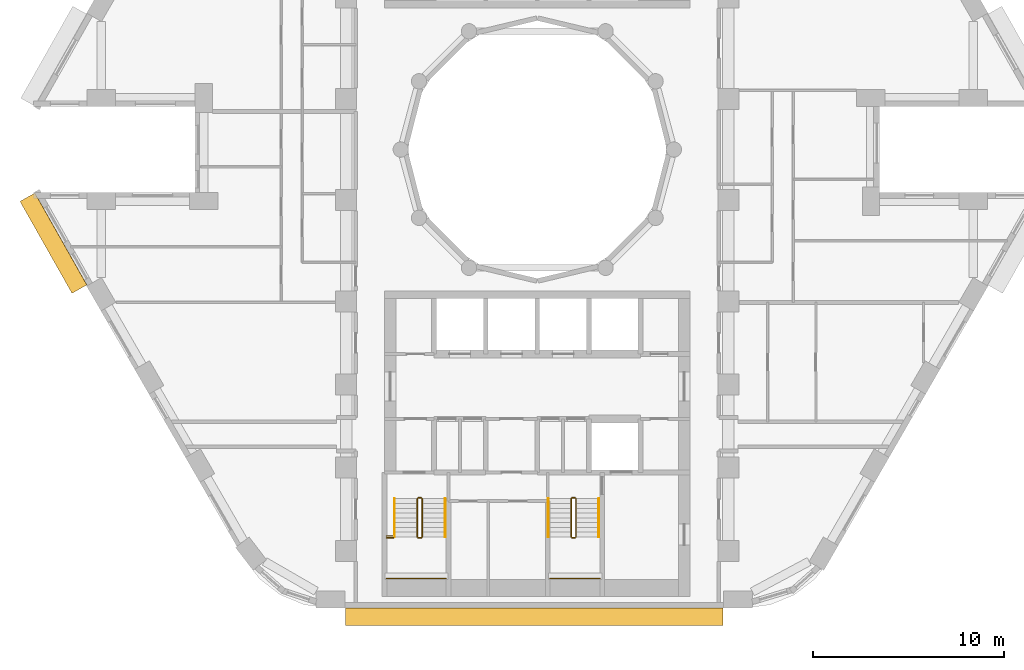
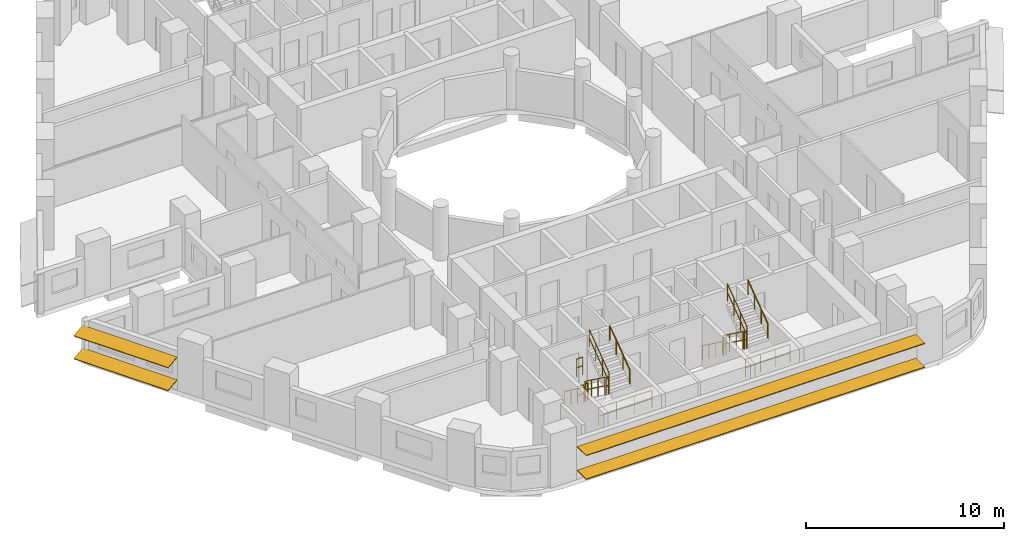
# One storey, part 10 of 12: 16 railings, 4 shading devices.
"""IFC4 building model written with IfcOpenShell, lengths in metres."""

from ifc_helpers import new_model, si_unit, direction, frame, origin, origin_2d, place, context, subcontext, project, spatial, rectangle, circle, extrude, material, material_profile, profile_set, type_object, element, save


model = new_model("IFC4")

# Units and contexts
model_context = context("Model", 3, precision=1e-05, world=origin(), true_north=direction((0.0, 1.0)))
body_context = subcontext(model_context, "Body", "Model", "MODEL_VIEW")
ifc_project = project(units=[si_unit("LENGTHUNIT", "METRE"), si_unit("AREAUNIT", "SQUARE_METRE"), si_unit("VOLUMEUNIT", "CUBIC_METRE"), si_unit("PLANEANGLEUNIT", "RADIAN"), si_unit("MASSUNIT", "GRAM", prefix="KILO")], contexts=[model_context])

# Site, building, storey
site_placement = place(None, origin())
site = spatial("IfcSite", under=ifc_project, at=site_placement, CompositionType="ELEMENT")
building_placement = place(site_placement, origin())
building = spatial("IfcBuilding", under=site, at=building_placement, Name="Nakaniwa Court", CompositionType="ELEMENT")
storey_placement = place(building_placement, frame((0.0, 0.0, 51.300048828125)))
storey = spatial("IfcBuildingStorey", under=building, at=storey_placement, Name="L13", CompositionType="ELEMENT", Elevation=51.300048828125)

# Shading devices
ifc_material_1 = material(Name="Perforated charcoal ceramic louvre blade")
ifc_material_profile = material_profile(ifc_material_1, rectangle(XDim=0.89990234375, YDim=0.050048828125, at=origin_2d()), Name="Perforated ceramic louvre blade")
ifc_profile_set = profile_set([ifc_material_profile], Name="Perforated charcoal ceramic louvre blade")
shading_device_type = type_object("IfcShadingDeviceType", Name="Perforated ceramic louvre blade", PredefinedType="JALOUSIE", material=ifc_profile_set)
for number, where, z_axis, x_axis, name in (
    (1, (53.31689453125, 77.508056640625, 0.550048828125), (0.492342539441, -0.870401530247, 0.0), (0.86275552304, 0.488017576221, 0.132256390257), "L13 perforated ceramic louvre blade w20 1"),
    (2, (53.31689453125, 77.508056640625, 1.95556640625), (0.492342539441, -0.870401530247, 0.0), (0.86275552304, 0.488017576221, 0.132256390257), "L13 perforated ceramic louvre blade w20 2"),
):
    element("IfcShadingDevice", number, at=place(storey_placement, frame(where, z_axis=z_axis, x_axis=x_axis)), inside=storey, type_object=shading_device_type, Name=name, PredefinedType="JALOUSIE", context=body_context, shape_type="SweptSolid", body=[
        extrude(rectangle(XDim=0.89990234375, YDim=0.050048828125, at=origin_2d()), origin(), (0.0, 0.0, 1.0), 5.526611328125),
    ])
for number, where, z_axis, x_axis, name in (
    (3, (69.97119140625, 55.550048828125, 0.550048828125), (1.0, 0.0, 0.0), (0.0, 1.0, 0.0), "L13 perforated ceramic louvre blade w26 1"),
    (4, (69.97119140625, 55.550048828125, 2.014892578125), (1.0, 0.0, 0.0), (0.0, 1.0, 0.0), "L13 perforated ceramic louvre blade w26 2"),
):
    element("IfcShadingDevice", number, at=place(storey_placement, frame(where, z_axis=z_axis, x_axis=x_axis)), inside=storey, type_object=shading_device_type, Name=name, PredefinedType="JALOUSIE", context=body_context, shape_type="SweptSolid", body=[
        extrude(rectangle(XDim=0.89990234375, YDim=0.050048828125, at=origin_2d()), origin(), (0.0, 0.0, 1.0), 19.739990234375),
    ])

# Railings
ifc_material_2 = material(Name="Black powder coated steel guard", Category="steel")
railing_type_1 = type_object("IfcRailingType", Name="Stair guard 1100", PredefinedType="GUARDRAIL", material=ifc_material_2)
railing_1_placement = place(storey_placement, frame((73.72509765625, 61.72509765625, 0.183349609375)))
element("IfcRailing", 5, at=railing_1_placement, inside=storey, type_object=railing_type_1, Name="L13 ST3 stair guard 1", PredefinedType="GUARDRAIL", context=body_context, shape_type="SweptSolid", body=[
    extrude(circle(Radius=0.02392578125, at=origin_2d()), frame((0.0, 0.0, 1.076171875), z_axis=(0.0, -0.806426902644, 0.591333789573), x_axis=(1.0, 0.0, 0.0)), (0.0, 0.0, 1.0), 2.47998046875),
    extrude(circle(Radius=0.02392578125, at=origin_2d()), frame((0.0, 0.0, 0.550048828125), z_axis=(0.0, -0.806426902644, 0.591333789573), x_axis=(1.0, 0.0, 0.0)), (0.0, 0.0, 1.0), 2.47998046875),
    extrude(circle(Radius=0.02099609375, at=origin_2d()), origin(), (0.0, 0.0, 1.0), 1.052001953125),
    extrude(circle(Radius=0.02099609375, at=origin_2d()), frame((0.0, -0.666748046875, 0.48876953125)), (0.0, 0.0, 1.0), 1.052001953125),
    extrude(circle(Radius=0.02099609375, at=origin_2d()), frame((0.0, -1.333251953125, 0.977783203125)), (0.0, 0.0, 1.0), 1.052001953125),
    extrude(circle(Radius=0.02099609375, at=origin_2d()), frame((0.0, -2.0, 1.466552734375)), (0.0, 0.0, 1.0), 1.052001953125),
])
railing_2_placement = place(storey_placement, frame((73.77490234375, 59.675048828125, 1.64990234375)))
element("IfcRailing", 6, at=railing_2_placement, inside=storey, type_object=railing_type_1, Name="L13 ST3 stair guard 2", PredefinedType="GUARDRAIL", context=body_context, shape_type="SweptSolid", body=[
    extrude(circle(Radius=0.02392578125, at=origin_2d()), frame((0.0, 0.0, 1.076171875), z_axis=(1.0, 0.0, 0.0), x_axis=(0.0, 1.0, 0.0)), (0.0, 0.0, 1.0), 0.150146484375),
    extrude(circle(Radius=0.02392578125, at=origin_2d()), frame((0.0, 0.0, 0.550048828125), z_axis=(1.0, 0.0, 0.0), x_axis=(0.0, 1.0, 0.0)), (0.0, 0.0, 1.0), 0.150146484375),
    extrude(circle(Radius=0.02099609375, at=origin_2d()), origin(), (0.0, 0.0, 1.0), 1.052001953125),
    extrude(circle(Radius=0.02099609375, at=origin_2d()), frame((0.150146484375, 0.0, 0.0)), (0.0, 0.0, 1.0), 1.052001953125),
])
railing_3_placement = place(storey_placement, frame((73.97509765625, 59.72509765625, 1.833251953125)))
element("IfcRailing", 7, at=railing_3_placement, inside=storey, type_object=railing_type_1, Name="L13 ST3 stair guard 3", PredefinedType="GUARDRAIL", context=body_context, shape_type="SweptSolid", body=[
    extrude(circle(Radius=0.02392578125, at=origin_2d()), frame((0.0, 0.0, 1.076171875), z_axis=(0.0, 0.806379959628, 0.591397802423), x_axis=(-1.0, 0.0, 0.0)), (0.0, 0.0, 1.0), 2.480224609375),
    extrude(circle(Radius=0.02392578125, at=origin_2d()), frame((0.0, 0.0, 0.550048828125), z_axis=(0.0, 0.806379959628, 0.591397802423), x_axis=(-1.0, 0.0, 0.0)), (0.0, 0.0, 1.0), 2.480224609375),
    extrude(circle(Radius=0.02099609375, at=origin_2d()), origin(), (0.0, 0.0, 1.0), 1.052001953125),
    extrude(circle(Radius=0.02099609375, at=origin_2d()), frame((0.0, 0.666748046875, 0.489013671875)), (0.0, 0.0, 1.0), 1.052001953125),
    extrude(circle(Radius=0.02099609375, at=origin_2d()), frame((0.0, 1.333251953125, 0.977783203125)), (0.0, 0.0, 1.0), 1.052001953125),
    extrude(circle(Radius=0.02099609375, at=origin_2d()), frame((0.0, 2.0, 1.466796875)), (0.0, 0.0, 1.0), 1.052001953125),
])
railing_4_placement = place(storey_placement, frame((73.77490234375, 61.77490234375, 0.0)))
element("IfcRailing", 8, at=railing_4_placement, inside=storey, type_object=railing_type_1, Name="L13 ST3 stair guard 4", PredefinedType="GUARDRAIL", context=body_context, shape_type="SweptSolid", body=[
    extrude(circle(Radius=0.02392578125, at=origin_2d()), frame((0.0, 0.0, 1.076171875), z_axis=(1.0, 0.0, 0.0), x_axis=(0.0, 1.0, 0.0)), (0.0, 0.0, 1.0), 0.150146484375),
    extrude(circle(Radius=0.02392578125, at=origin_2d()), frame((0.0, 0.0, 0.550048828125), z_axis=(1.0, 0.0, 0.0), x_axis=(0.0, 1.0, 0.0)), (0.0, 0.0, 1.0), 0.150146484375),
    extrude(circle(Radius=0.02099609375, at=origin_2d()), origin(), (0.0, 0.0, 1.0), 1.052001953125),
    extrude(circle(Radius=0.02099609375, at=origin_2d()), frame((0.150146484375, 0.0, 0.0)), (0.0, 0.0, 1.0), 1.052001953125),
])
railing_5_placement = place(storey_placement, frame((72.125, 57.550048828125, 1.64990234375)))
element("IfcRailing", 9, at=railing_5_placement, inside=storey, type_object=railing_type_1, Name="L13 ST3 landing end guard 1", PredefinedType="GUARDRAIL", context=body_context, shape_type="SweptSolid", body=[
    extrude(circle(Radius=0.02392578125, at=origin_2d()), frame((0.0, 0.0, 1.076171875), z_axis=(1.0, 0.0, 0.0), x_axis=(0.0, 1.0, 0.0)), (0.0, 0.0, 1.0), 3.10009765625),
    extrude(circle(Radius=0.02392578125, at=origin_2d()), frame((0.0, 0.0, 0.550048828125), z_axis=(1.0, 0.0, 0.0), x_axis=(0.0, 1.0, 0.0)), (0.0, 0.0, 1.0), 3.10009765625),
    extrude(circle(Radius=0.02099609375, at=origin_2d()), origin(), (0.0, 0.0, 1.0), 1.052001953125),
    extrude(circle(Radius=0.02099609375, at=origin_2d()), frame((1.033447265625, 0.0, 0.0)), (0.0, 0.0, 1.0), 1.052001953125),
    extrude(circle(Radius=0.02099609375, at=origin_2d()), frame((2.066650390625, 0.0, 0.0)), (0.0, 0.0, 1.0), 1.052001953125),
    extrude(circle(Radius=0.02099609375, at=origin_2d()), frame((3.10009765625, 0.0, 0.0)), (0.0, 0.0, 1.0), 1.052001953125),
])
for number, where, name in (
    (10, (72.125, 59.675048828125, 1.64990234375), "L13 ST3 landing side guard 1W"),
    (11, (72.125, 59.77490234375, 3.300048828125), "L13 ST3 floor edge guard 1W"),
):
    element("IfcRailing", number, at=place(storey_placement, frame(where)), inside=storey, type_object=railing_type_1, Name=name, PredefinedType="GUARDRAIL", context=body_context, shape_type="SweptSolid", body=[
        extrude(circle(Radius=0.02392578125, at=origin_2d()), frame((0.0, 0.0, 1.076171875), z_axis=(1.0, 0.0, 0.0), x_axis=(0.0, 1.0, 0.0)), (0.0, 0.0, 1.0), 0.35009765625),
        extrude(circle(Radius=0.02392578125, at=origin_2d()), frame((0.0, 0.0, 0.550048828125), z_axis=(1.0, 0.0, 0.0), x_axis=(0.0, 1.0, 0.0)), (0.0, 0.0, 1.0), 0.35009765625),
        extrude(circle(Radius=0.02099609375, at=origin_2d()), origin(), (0.0, 0.0, 1.0), 1.052001953125),
        extrude(circle(Radius=0.02099609375, at=origin_2d()), frame((0.35009765625, 0.0, 0.0)), (0.0, 0.0, 1.0), 1.052001953125),
    ])
railing_6_placement = place(storey_placement, frame((81.77490234375, 61.72509765625, 0.183349609375)))
element("IfcRailing", 12, at=railing_6_placement, inside=storey, type_object=railing_type_1, Name="L13 ST4 stair guard 1", PredefinedType="GUARDRAIL", context=body_context, shape_type="SweptSolid", body=[
    extrude(circle(Radius=0.02392578125, at=origin_2d()), frame((0.0, 0.0, 1.076171875), z_axis=(0.0, -0.806426902644, 0.591333789573), x_axis=(1.0, 0.0, 0.0)), (0.0, 0.0, 1.0), 2.47998046875),
    extrude(circle(Radius=0.02392578125, at=origin_2d()), frame((0.0, 0.0, 0.550048828125), z_axis=(0.0, -0.806426902644, 0.591333789573), x_axis=(1.0, 0.0, 0.0)), (0.0, 0.0, 1.0), 2.47998046875),
    extrude(circle(Radius=0.02099609375, at=origin_2d()), origin(), (0.0, 0.0, 1.0), 1.052001953125),
    extrude(circle(Radius=0.02099609375, at=origin_2d()), frame((0.0, -0.666748046875, 0.48876953125)), (0.0, 0.0, 1.0), 1.052001953125),
    extrude(circle(Radius=0.02099609375, at=origin_2d()), frame((0.0, -1.333251953125, 0.977783203125)), (0.0, 0.0, 1.0), 1.052001953125),
    extrude(circle(Radius=0.02099609375, at=origin_2d()), frame((0.0, -2.0, 1.466552734375)), (0.0, 0.0, 1.0), 1.052001953125),
])
railing_7_placement = place(storey_placement, frame((81.824951171875, 59.675048828125, 1.64990234375)))
element("IfcRailing", 13, at=railing_7_placement, inside=storey, type_object=railing_type_1, Name="L13 ST4 stair guard 2", PredefinedType="GUARDRAIL", context=body_context, shape_type="SweptSolid", body=[
    extrude(circle(Radius=0.02392578125, at=origin_2d()), frame((0.0, 0.0, 1.076171875), z_axis=(1.0, 0.0, 0.0), x_axis=(0.0, 1.0, 0.0)), (0.0, 0.0, 1.0), 0.150146484375),
    extrude(circle(Radius=0.02392578125, at=origin_2d()), frame((0.0, 0.0, 0.550048828125), z_axis=(1.0, 0.0, 0.0), x_axis=(0.0, 1.0, 0.0)), (0.0, 0.0, 1.0), 0.150146484375),
    extrude(circle(Radius=0.02099609375, at=origin_2d()), origin(), (0.0, 0.0, 1.0), 1.052001953125),
    extrude(circle(Radius=0.02099609375, at=origin_2d()), frame((0.150146484375, 0.0, 0.0)), (0.0, 0.0, 1.0), 1.052001953125),
])
railing_8_placement = place(storey_placement, frame((82.02490234375, 59.72509765625, 1.833251953125)))
element("IfcRailing", 14, at=railing_8_placement, inside=storey, type_object=railing_type_1, Name="L13 ST4 stair guard 3", PredefinedType="GUARDRAIL", context=body_context, shape_type="SweptSolid", body=[
    extrude(circle(Radius=0.02392578125, at=origin_2d()), frame((0.0, 0.0, 1.076171875), z_axis=(0.0, 0.806379959628, 0.591397802423), x_axis=(-1.0, 0.0, 0.0)), (0.0, 0.0, 1.0), 2.480224609375),
    extrude(circle(Radius=0.02392578125, at=origin_2d()), frame((0.0, 0.0, 0.550048828125), z_axis=(0.0, 0.806379959628, 0.591397802423), x_axis=(-1.0, 0.0, 0.0)), (0.0, 0.0, 1.0), 2.480224609375),
    extrude(circle(Radius=0.02099609375, at=origin_2d()), origin(), (0.0, 0.0, 1.0), 1.052001953125),
    extrude(circle(Radius=0.02099609375, at=origin_2d()), frame((0.0, 0.666748046875, 0.489013671875)), (0.0, 0.0, 1.0), 1.052001953125),
    extrude(circle(Radius=0.02099609375, at=origin_2d()), frame((0.0, 1.333251953125, 0.977783203125)), (0.0, 0.0, 1.0), 1.052001953125),
    extrude(circle(Radius=0.02099609375, at=origin_2d()), frame((0.0, 2.0, 1.466796875)), (0.0, 0.0, 1.0), 1.052001953125),
])
railing_9_placement = place(storey_placement, frame((81.824951171875, 61.77490234375, 0.0)))
element("IfcRailing", 15, at=railing_9_placement, inside=storey, type_object=railing_type_1, Name="L13 ST4 stair guard 4", PredefinedType="GUARDRAIL", context=body_context, shape_type="SweptSolid", body=[
    extrude(circle(Radius=0.02392578125, at=origin_2d()), frame((0.0, 0.0, 1.076171875), z_axis=(1.0, 0.0, 0.0), x_axis=(0.0, 1.0, 0.0)), (0.0, 0.0, 1.0), 0.150146484375),
    extrude(circle(Radius=0.02392578125, at=origin_2d()), frame((0.0, 0.0, 0.550048828125), z_axis=(1.0, 0.0, 0.0), x_axis=(0.0, 1.0, 0.0)), (0.0, 0.0, 1.0), 0.150146484375),
    extrude(circle(Radius=0.02099609375, at=origin_2d()), origin(), (0.0, 0.0, 1.0), 1.052001953125),
    extrude(circle(Radius=0.02099609375, at=origin_2d()), frame((0.150146484375, 0.0, 0.0)), (0.0, 0.0, 1.0), 1.052001953125),
])
railing_10_placement = place(storey_placement, frame((80.675048828125, 57.550048828125, 1.64990234375)))
element("IfcRailing", 16, at=railing_10_placement, inside=storey, type_object=railing_type_1, Name="L13 ST4 landing end guard 1", PredefinedType="GUARDRAIL", context=body_context, shape_type="SweptSolid", body=[
    extrude(circle(Radius=0.02392578125, at=origin_2d()), frame((0.0, 0.0, 1.076171875), z_axis=(1.0, 0.0, 0.0), x_axis=(0.0, 1.0, 0.0)), (0.0, 0.0, 1.0), 2.599853515625),
    extrude(circle(Radius=0.02392578125, at=origin_2d()), frame((0.0, 0.0, 0.550048828125), z_axis=(1.0, 0.0, 0.0), x_axis=(0.0, 1.0, 0.0)), (0.0, 0.0, 1.0), 2.599853515625),
    extrude(circle(Radius=0.02099609375, at=origin_2d()), origin(), (0.0, 0.0, 1.0), 1.052001953125),
    extrude(circle(Radius=0.02099609375, at=origin_2d()), frame((0.86669921875, 0.0, 0.0)), (0.0, 0.0, 1.0), 1.052001953125),
    extrude(circle(Radius=0.02099609375, at=origin_2d()), frame((1.733154296875, 0.0, 0.0)), (0.0, 0.0, 1.0), 1.052001953125),
    extrude(circle(Radius=0.02099609375, at=origin_2d()), frame((2.599853515625, 0.0, 0.0)), (0.0, 0.0, 1.0), 1.052001953125),
])
ifc_material_3 = material(Name="Black powder coated steel handrail", Category="steel")
railing_type_2 = type_object("IfcRailingType", Name="Stair handrail 900", PredefinedType="HANDRAIL", material=ifc_material_3)
railing_11_placement = place(storey_placement, frame((72.52490234375, 61.72509765625, 0.183349609375)))
element("IfcRailing", 17, at=railing_11_placement, inside=storey, type_object=railing_type_2, Name="L13 ST3 stair handrail 1", PredefinedType="HANDRAIL", context=body_context, shape_type="SweptSolid", body=[
    extrude(circle(Radius=0.02392578125, at=origin_2d()), frame((0.0, 0.0, 0.8759765625), z_axis=(0.0, -0.806426902644, 0.591333789573), x_axis=(1.0, 0.0, 0.0)), (0.0, 0.0, 1.0), 2.47998046875),
    extrude(circle(Radius=0.02099609375, at=origin_2d()), origin(), (0.0, 0.0, 1.0), 0.851806640625),
    extrude(circle(Radius=0.02099609375, at=origin_2d()), frame((0.0, -0.666748046875, 0.48876953125)), (0.0, 0.0, 1.0), 0.851806640625),
    extrude(circle(Radius=0.02099609375, at=origin_2d()), frame((0.0, -1.333251953125, 0.977783203125)), (0.0, 0.0, 1.0), 0.851806640625),
    extrude(circle(Radius=0.02099609375, at=origin_2d()), frame((0.0, -2.0, 1.466552734375)), (0.0, 0.0, 1.0), 0.851806640625),
])
railing_12_placement = place(storey_placement, frame((75.175048828125, 59.72509765625, 1.833251953125)))
element("IfcRailing", 18, at=railing_12_placement, inside=storey, type_object=railing_type_2, Name="L13 ST3 stair handrail 2", PredefinedType="HANDRAIL", context=body_context, shape_type="SweptSolid", body=[
    extrude(circle(Radius=0.02392578125, at=origin_2d()), frame((0.0, 0.0, 0.8759765625), z_axis=(0.0, 0.806379959628, 0.591397802423), x_axis=(-1.0, 0.0, 0.0)), (0.0, 0.0, 1.0), 2.480224609375),
    extrude(circle(Radius=0.02099609375, at=origin_2d()), origin(), (0.0, 0.0, 1.0), 0.851806640625),
    extrude(circle(Radius=0.02099609375, at=origin_2d()), frame((0.0, 0.666748046875, 0.489013671875)), (0.0, 0.0, 1.0), 0.851806640625),
    extrude(circle(Radius=0.02099609375, at=origin_2d()), frame((0.0, 1.333251953125, 0.977783203125)), (0.0, 0.0, 1.0), 0.851806640625),
    extrude(circle(Radius=0.02099609375, at=origin_2d()), frame((0.0, 2.0, 1.466796875)), (0.0, 0.0, 1.0), 0.851806640625),
])
railing_13_placement = place(storey_placement, frame((80.574951171875, 61.72509765625, 0.183349609375)))
element("IfcRailing", 19, at=railing_13_placement, inside=storey, type_object=railing_type_2, Name="L13 ST4 stair handrail 1", PredefinedType="HANDRAIL", context=body_context, shape_type="SweptSolid", body=[
    extrude(circle(Radius=0.02392578125, at=origin_2d()), frame((0.0, 0.0, 0.8759765625), z_axis=(0.0, -0.806426902644, 0.591333789573), x_axis=(1.0, 0.0, 0.0)), (0.0, 0.0, 1.0), 2.47998046875),
    extrude(circle(Radius=0.02099609375, at=origin_2d()), origin(), (0.0, 0.0, 1.0), 0.851806640625),
    extrude(circle(Radius=0.02099609375, at=origin_2d()), frame((0.0, -0.666748046875, 0.48876953125)), (0.0, 0.0, 1.0), 0.851806640625),
    extrude(circle(Radius=0.02099609375, at=origin_2d()), frame((0.0, -1.333251953125, 0.977783203125)), (0.0, 0.0, 1.0), 0.851806640625),
    extrude(circle(Radius=0.02099609375, at=origin_2d()), frame((0.0, -2.0, 1.466552734375)), (0.0, 0.0, 1.0), 0.851806640625),
])
railing_14_placement = place(storey_placement, frame((83.22509765625, 59.72509765625, 1.833251953125)))
element("IfcRailing", 20, at=railing_14_placement, inside=storey, type_object=railing_type_2, Name="L13 ST4 stair handrail 2", PredefinedType="HANDRAIL", context=body_context, shape_type="SweptSolid", body=[
    extrude(circle(Radius=0.02392578125, at=origin_2d()), frame((0.0, 0.0, 0.8759765625), z_axis=(0.0, 0.806379959628, 0.591397802423), x_axis=(-1.0, 0.0, 0.0)), (0.0, 0.0, 1.0), 2.480224609375),
    extrude(circle(Radius=0.02099609375, at=origin_2d()), origin(), (0.0, 0.0, 1.0), 0.851806640625),
    extrude(circle(Radius=0.02099609375, at=origin_2d()), frame((0.0, 0.666748046875, 0.489013671875)), (0.0, 0.0, 1.0), 0.851806640625),
    extrude(circle(Radius=0.02099609375, at=origin_2d()), frame((0.0, 1.333251953125, 0.977783203125)), (0.0, 0.0, 1.0), 0.851806640625),
    extrude(circle(Radius=0.02099609375, at=origin_2d()), frame((0.0, 2.0, 1.466796875)), (0.0, 0.0, 1.0), 0.851806640625),
])

save(model, "model.ifc")
